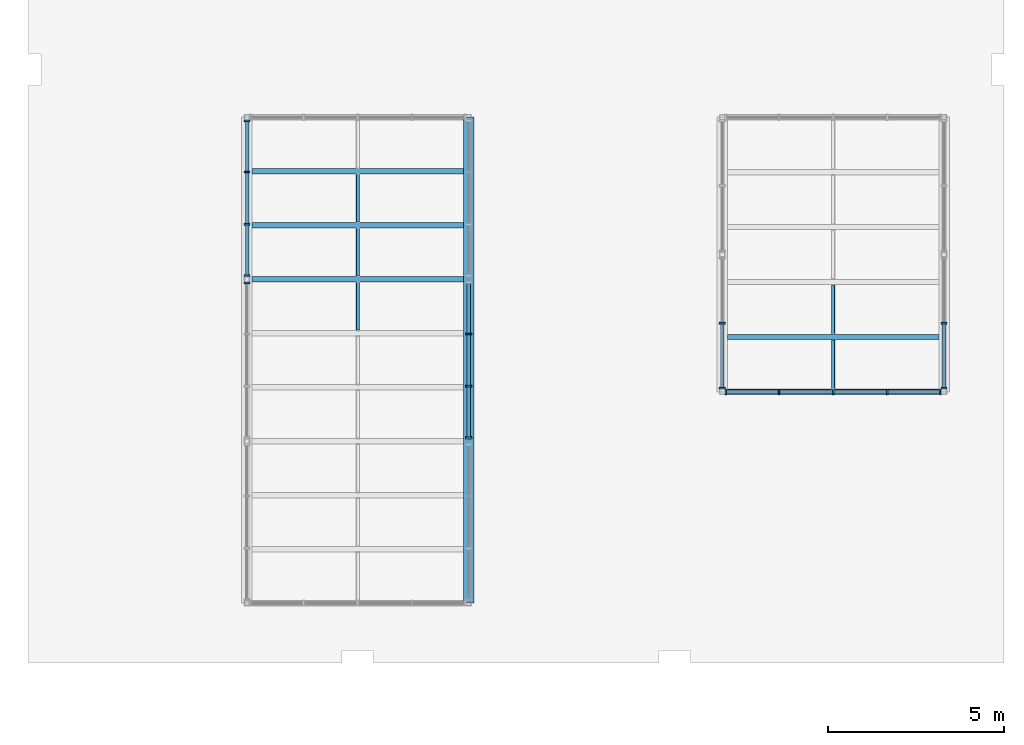
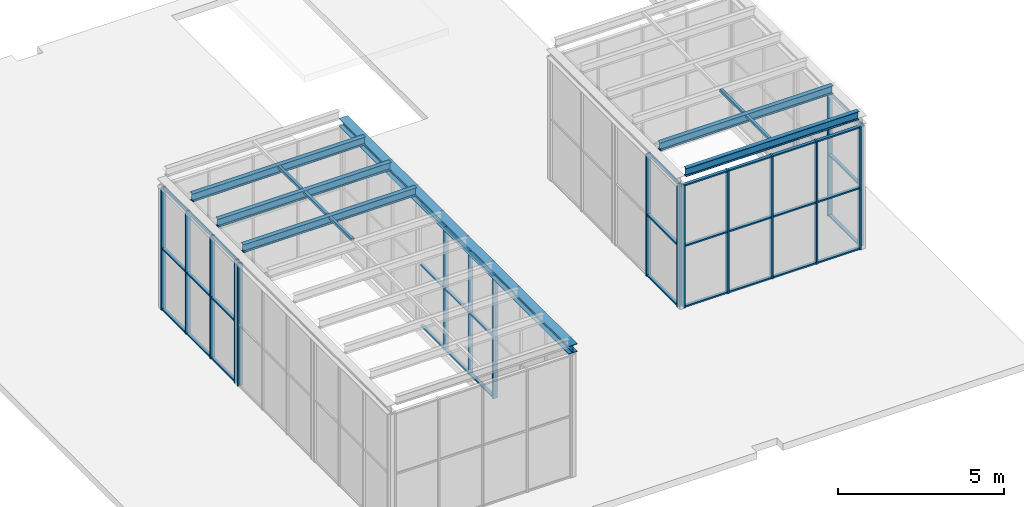
# One storey, part 7 of 25: 58 members, 6 beams, 6 elements without a shape of their own.
"""IFC4 building model written with IfcOpenShell, lengths in metres."""

from ifc_helpers import new_model, si_unit, direction, frame, origin, origin_2d, place, context, subcontext, project, spatial, rectangle, hollow_rectangle, i_section, extrude, material, layer, layer_set, material_profile, profile_set, type_object, element, aggregate, save


model = new_model("IFC4")

# Units and contexts
model_context = context("Model", 3, precision=1e-05, world=origin(), true_north=direction((0.0, 1.0)))
body_context = subcontext(model_context, "Body", "Model", "MODEL_VIEW")
ifc_project = project(units=[si_unit("LENGTHUNIT", "METRE"), si_unit("AREAUNIT", "SQUARE_METRE"), si_unit("VOLUMEUNIT", "CUBIC_METRE"), si_unit("PLANEANGLEUNIT", "RADIAN"), si_unit("MASSUNIT", "GRAM", prefix="KILO")], contexts=[model_context])

# Site, building, storey
site_placement = place(None, origin())
site = spatial("IfcSite", under=ifc_project, at=site_placement, CompositionType="ELEMENT")
building_placement = place(site_placement, origin())
building = spatial("IfcBuilding", under=site, at=building_placement, Name="Aurelan Courthouse", CompositionType="ELEMENT")
storey_placement = place(building_placement, frame((0.0, 0.0, 44.39990234375)))
storey = spatial("IfcBuildingStorey", under=building, at=storey_placement, Name="L08", CompositionType="ELEMENT", Elevation=44.39990234375)

# Beam
ifc_material_1 = material(Name="Steel S355", Category="steel")
ifc_material_profile_1 = material_profile(ifc_material_1, i_section(OverallWidth=0.300048828125, OverallDepth=0.2900390625, WebThickness=0.008544921875, FlangeThickness=0.013916015625, FilletRadius=0.027099609375, at=origin_2d()), Name="HEA 300")
ifc_profile_set_1 = profile_set([ifc_material_profile_1], Name="Steel S355")
beam_type_1 = type_object("IfcBeamType", Name="Lantern edge beam HEA 300", PredefinedType="BEAM", material=ifc_profile_set_1)
beam_placement = place(storey_placement, frame((48.14990234375, 38.85009765625, 4.64501953125), z_axis=(0.0, 1.0, 0.0), x_axis=(-1.0, 0.0, 0.0)))
element("IfcBeam", 1, at=beam_placement, inside=storey, type_object=beam_type_1, Name="Lantern edge beam LE-V21-02", PredefinedType="BEAM", context=body_context, shape_type="SweptSolid", body=[
    extrude(i_section(OverallWidth=0.300048828125, OverallDepth=0.2900390625, WebThickness=0.008544921875, FlangeThickness=0.013916015625, FilletRadius=0.027099609375, at=origin_2d()), origin(), (0.0, 0.0, 1.0), 13.7998046875),
])

# Curtain wall, member
ifc_material_2 = material(Name="Bronze-finished aluminium and glass", Category="aluminium")
ifc_layer_1 = layer(ifc_material_2, 0.14990234375)
ifc_layer_set_1 = layer_set([ifc_layer_1], Name="Bronze-finished aluminium and glass")
curtain_wall_type_1 = type_object("IfcCurtainWallType", Name="Lantern wall 4450 x 4500", PredefinedType="NOTDEFINED", material=ifc_layer_set_1)
curtain_wall_1_placement = place(storey_placement, origin())
curtain_wall_1 = element("IfcCurtainWall", 2, at=curtain_wall_1_placement, inside=storey, type_object=curtain_wall_type_1, Name="Curtain wall CW-L08-V2104", PredefinedType="NOTDEFINED")
ifc_material_3 = material(Name="Bronze-finished aluminium", Category="aluminium")
ifc_material_profile_2 = material_profile(ifc_material_3, rectangle(XDim=0.159912109375, YDim=0.050048828125, at=origin_2d()), Name="Lantern mullion 50 x 160")
ifc_profile_set_2 = profile_set([ifc_material_profile_2], Name="Bronze-finished aluminium")
member_type_1 = type_object("IfcMemberType", Name="Lantern mullion 50 x 160", PredefinedType="MULLION", material=ifc_profile_set_2)
member_1_placement = place(storey_placement, frame((41.85009765625, 47.949951171875, 0.0), z_axis=(0.0, 0.0, 1.0), x_axis=(-1.0, 0.0, 0.0)))
member_1 = element("IfcMember", 3, at=member_1_placement, type_object=member_type_1, Name="CW-L08-V2104 mullion 4", PredefinedType="MULLION", context=body_context, shape_type="SweptSolid", body=[
    extrude(rectangle(XDim=0.159912109375, YDim=0.050048828125, at=origin_2d()), origin(), (0.0, 0.0, 1.0), 4.5),
])
aggregate(curtain_wall_1, [member_1])

# Curtain wall, members
curtain_wall_2_placement = place(storey_placement, origin())
curtain_wall_2 = element("IfcCurtainWall", 4, at=curtain_wall_2_placement, inside=storey, type_object=curtain_wall_type_1, Name="Curtain wall CW-L08-V2105", PredefinedType="NOTDEFINED")
member_2_placement = place(storey_placement, frame((48.14990234375, 43.550048828125, 0.0), z_axis=(0.0, 0.0, 1.0), x_axis=(-1.0, 0.0, 0.0)))
member_2 = element("IfcMember", 5, at=member_2_placement, type_object=member_type_1, Name="CW-L08-V2105 mullion 1", PredefinedType="MULLION", context=body_context, shape_type="SweptSolid", body=[
    extrude(rectangle(XDim=0.159912109375, YDim=0.050048828125, at=origin_2d()), origin(), (0.0, 0.0, 1.0), 4.5),
])
member_3_placement = place(storey_placement, frame((48.14990234375, 45.00830078125, 0.0), z_axis=(0.0, 0.0, 1.0), x_axis=(-1.0, 0.0, 0.0)))
member_3 = element("IfcMember", 6, at=member_3_placement, type_object=member_type_1, Name="CW-L08-V2105 mullion 2", PredefinedType="MULLION", context=body_context, shape_type="SweptSolid", body=[
    extrude(rectangle(XDim=0.159912109375, YDim=0.050048828125, at=origin_2d()), origin(), (0.0, 0.0, 1.0), 4.5),
])
member_4_placement = place(storey_placement, frame((48.14990234375, 46.49169921875, 0.0), z_axis=(0.0, 0.0, 1.0), x_axis=(-1.0, 0.0, 0.0)))
member_4 = element("IfcMember", 7, at=member_4_placement, type_object=member_type_1, Name="CW-L08-V2105 mullion 3", PredefinedType="MULLION", context=body_context, shape_type="SweptSolid", body=[
    extrude(rectangle(XDim=0.159912109375, YDim=0.050048828125, at=origin_2d()), origin(), (0.0, 0.0, 1.0), 4.5),
])

curtain_wall_3_placement = place(storey_placement, origin())
curtain_wall_3 = element("IfcCurtainWall", 8, at=curtain_wall_3_placement, inside=storey, type_object=curtain_wall_type_1, Name="Curtain wall CW-L08-V2106", PredefinedType="NOTDEFINED")
member_5_placement = place(storey_placement, frame((41.85009765625, 48.14990234375, 0.0), z_axis=(0.0, 0.0, 1.0), x_axis=(-1.0, 0.0, 0.0)))
member_5 = element("IfcMember", 9, at=member_5_placement, type_object=member_type_1, Name="CW-L08-V2106 mullion 1", PredefinedType="MULLION", context=body_context, shape_type="SweptSolid", body=[
    extrude(rectangle(XDim=0.159912109375, YDim=0.050048828125, at=origin_2d()), origin(), (0.0, 0.0, 1.0), 4.5),
])
member_6_placement = place(storey_placement, frame((41.85009765625, 49.6083984375, 0.0), z_axis=(0.0, 0.0, 1.0), x_axis=(-1.0, 0.0, 0.0)))
member_6 = element("IfcMember", 10, at=member_6_placement, type_object=member_type_1, Name="CW-L08-V2106 mullion 2", PredefinedType="MULLION", context=body_context, shape_type="SweptSolid", body=[
    extrude(rectangle(XDim=0.159912109375, YDim=0.050048828125, at=origin_2d()), origin(), (0.0, 0.0, 1.0), 4.5),
])
member_7_placement = place(storey_placement, frame((41.85009765625, 51.091552734375, 0.0), z_axis=(0.0, 0.0, 1.0), x_axis=(-1.0, 0.0, 0.0)))
member_7 = element("IfcMember", 11, at=member_7_placement, type_object=member_type_1, Name="CW-L08-V2106 mullion 3", PredefinedType="MULLION", context=body_context, shape_type="SweptSolid", body=[
    extrude(rectangle(XDim=0.159912109375, YDim=0.050048828125, at=origin_2d()), origin(), (0.0, 0.0, 1.0), 4.5),
])
member_8_placement = place(storey_placement, frame((41.85009765625, 52.550048828125, 0.0), z_axis=(0.0, 0.0, 1.0), x_axis=(-1.0, 0.0, 0.0)))
member_8 = element("IfcMember", 12, at=member_8_placement, type_object=member_type_1, Name="CW-L08-V2106 mullion 4", PredefinedType="MULLION", context=body_context, shape_type="SweptSolid", body=[
    extrude(rectangle(XDim=0.159912109375, YDim=0.050048828125, at=origin_2d()), origin(), (0.0, 0.0, 1.0), 4.5),
])

ifc_layer_2 = layer(ifc_material_2, 0.14990234375)
ifc_layer_set_2 = layer_set([ifc_layer_2], Name="Bronze-finished aluminium and glass")
curtain_wall_type_2 = type_object("IfcCurtainWallType", Name="Lantern wall 6150 x 4500", PredefinedType="NOTDEFINED", material=ifc_layer_set_2)
curtain_wall_4_placement = place(storey_placement, origin())
curtain_wall_4 = element("IfcCurtainWall", 13, at=curtain_wall_4_placement, inside=storey, type_object=curtain_wall_type_2, Name="Curtain wall CW-L08-V2201", PredefinedType="NOTDEFINED")
member_9_placement = place(storey_placement, frame((55.449951171875, 44.85009765625, 0.0), z_axis=(0.0, 0.0, 1.0), x_axis=(0.0, 1.0, 0.0)))
member_9 = element("IfcMember", 14, at=member_9_placement, type_object=member_type_1, Name="CW-L08-V2201 mullion 1", PredefinedType="MULLION", context=body_context, shape_type="SweptSolid", body=[
    extrude(rectangle(XDim=0.159912109375, YDim=0.050048828125, at=origin_2d()), origin(), (0.0, 0.0, 1.0), 4.5),
])
member_10_placement = place(storey_placement, frame((56.96240234375, 44.85009765625, 0.0), z_axis=(0.0, 0.0, 1.0), x_axis=(0.0, 1.0, 0.0)))
member_10 = element("IfcMember", 15, at=member_10_placement, type_object=member_type_1, Name="CW-L08-V2201 mullion 2", PredefinedType="MULLION", context=body_context, shape_type="SweptSolid", body=[
    extrude(rectangle(XDim=0.159912109375, YDim=0.050048828125, at=origin_2d()), origin(), (0.0, 0.0, 1.0), 4.5),
])
member_11_placement = place(storey_placement, frame((58.5, 44.85009765625, 0.0), z_axis=(0.0, 0.0, 1.0), x_axis=(0.0, 1.0, 0.0)))
member_11 = element("IfcMember", 16, at=member_11_placement, type_object=member_type_1, Name="CW-L08-V2201 mullion 3", PredefinedType="MULLION", context=body_context, shape_type="SweptSolid", body=[
    extrude(rectangle(XDim=0.159912109375, YDim=0.050048828125, at=origin_2d()), origin(), (0.0, 0.0, 1.0), 4.5),
])
member_12_placement = place(storey_placement, frame((60.03759765625, 44.85009765625, 0.0), z_axis=(0.0, 0.0, 1.0), x_axis=(0.0, 1.0, 0.0)))
member_12 = element("IfcMember", 17, at=member_12_placement, type_object=member_type_1, Name="CW-L08-V2201 mullion 4", PredefinedType="MULLION", context=body_context, shape_type="SweptSolid", body=[
    extrude(rectangle(XDim=0.159912109375, YDim=0.050048828125, at=origin_2d()), origin(), (0.0, 0.0, 1.0), 4.5),
])
member_13_placement = place(storey_placement, frame((61.550048828125, 44.85009765625, 0.0), z_axis=(0.0, 0.0, 1.0), x_axis=(0.0, 1.0, 0.0)))
member_13 = element("IfcMember", 18, at=member_13_placement, type_object=member_type_1, Name="CW-L08-V2201 mullion 5", PredefinedType="MULLION", context=body_context, shape_type="SweptSolid", body=[
    extrude(rectangle(XDim=0.159912109375, YDim=0.050048828125, at=origin_2d()), origin(), (0.0, 0.0, 1.0), 4.5),
])

ifc_layer_3 = layer(ifc_material_2, 0.14990234375)
ifc_layer_set_3 = layer_set([ifc_layer_3], Name="Bronze-finished aluminium and glass")
curtain_wall_type_3 = type_object("IfcCurtainWallType", Name="Lantern wall 3750 x 4500", PredefinedType="NOTDEFINED", material=ifc_layer_set_3)
curtain_wall_5_placement = place(storey_placement, origin())
curtain_wall_5 = element("IfcCurtainWall", 19, at=curtain_wall_5_placement, inside=storey, type_object=curtain_wall_type_3, Name="Curtain wall CW-L08-V2202", PredefinedType="NOTDEFINED")
member_14_placement = place(storey_placement, frame((55.35009765625, 44.949951171875, 0.0), z_axis=(0.0, 0.0, 1.0), x_axis=(-1.0, 0.0, 0.0)))
member_14 = element("IfcMember", 20, at=member_14_placement, type_object=member_type_1, Name="CW-L08-V2202 mullion 1", PredefinedType="MULLION", context=body_context, shape_type="SweptSolid", body=[
    extrude(rectangle(XDim=0.159912109375, YDim=0.050048828125, at=origin_2d()), origin(), (0.0, 0.0, 1.0), 4.5),
])
member_15_placement = place(storey_placement, frame((55.35009765625, 46.800048828125, 0.0), z_axis=(0.0, 0.0, 1.0), x_axis=(-1.0, 0.0, 0.0)))
member_15 = element("IfcMember", 21, at=member_15_placement, type_object=member_type_1, Name="CW-L08-V2202 mullion 2", PredefinedType="MULLION", context=body_context, shape_type="SweptSolid", body=[
    extrude(rectangle(XDim=0.159912109375, YDim=0.050048828125, at=origin_2d()), origin(), (0.0, 0.0, 1.0), 4.5),
])

curtain_wall_6_placement = place(storey_placement, origin())
curtain_wall_6 = element("IfcCurtainWall", 22, at=curtain_wall_6_placement, inside=storey, type_object=curtain_wall_type_3, Name="Curtain wall CW-L08-V2203", PredefinedType="NOTDEFINED")
member_16_placement = place(storey_placement, frame((61.64990234375, 44.949951171875, 0.0), z_axis=(0.0, 0.0, 1.0), x_axis=(-1.0, 0.0, 0.0)))
member_16 = element("IfcMember", 23, at=member_16_placement, type_object=member_type_1, Name="CW-L08-V2203 mullion 1", PredefinedType="MULLION", context=body_context, shape_type="SweptSolid", body=[
    extrude(rectangle(XDim=0.159912109375, YDim=0.050048828125, at=origin_2d()), origin(), (0.0, 0.0, 1.0), 4.5),
])
member_17_placement = place(storey_placement, frame((61.64990234375, 46.800048828125, 0.0), z_axis=(0.0, 0.0, 1.0), x_axis=(-1.0, 0.0, 0.0)))
member_17 = element("IfcMember", 24, at=member_17_placement, type_object=member_type_1, Name="CW-L08-V2203 mullion 2", PredefinedType="MULLION", context=body_context, shape_type="SweptSolid", body=[
    extrude(rectangle(XDim=0.159912109375, YDim=0.050048828125, at=origin_2d()), origin(), (0.0, 0.0, 1.0), 4.5),
])

# Members
ifc_material_profile_3 = material_profile(ifc_material_1, hollow_rectangle(XDim=0.10009765625, YDim=0.10009765625, WallThickness=0.006103515625, InnerFilletRadius=0.006103515625, OuterFilletRadius=0.011962890625, at=origin_2d()), Name="SHS 100x100x6")
ifc_profile_set_3 = profile_set([ifc_material_profile_3], Name="Steel S355")
member_type_2 = type_object("IfcMemberType", Name="Lantern purlin SHS 100x100x6", PredefinedType="PURLIN", material=ifc_profile_set_3)
for number, where, z_axis, x_axis, name in (
    (25, (45.0, 46.601806640625, 5.0400390625), (0.0, 1.0, 0.0), (-1.0, 0.0, 0.0), "Lantern purlin LP-V21-0601"),
    (26, (45.0, 48.135009765625, 5.0400390625), (0.0, 1.0, 0.0), (-1.0, 0.0, 0.0), "Lantern purlin LP-V21-0701"),
):
    element("IfcMember", number, at=place(storey_placement, frame(where, z_axis=z_axis, x_axis=x_axis)), inside=storey, type_object=member_type_2, Name=name, PredefinedType="PURLIN", context=body_context, shape_type="SweptSolid", body=[
        extrude(hollow_rectangle(XDim=0.10009765625, YDim=0.10009765625, WallThickness=0.006103515625, InnerFilletRadius=0.006103515625, OuterFilletRadius=0.011962890625, at=origin_2d()), origin(), (0.0, 0.0, 1.0), 1.36328125),
    ])
member_18_placement = place(storey_placement, frame((45.0, 49.668212890625, 5.0400390625), z_axis=(0.0, 1.0, 0.0), x_axis=(-1.0, 0.0, 0.0)))
element("IfcMember", 27, at=member_18_placement, inside=storey, type_object=member_type_2, Name="Lantern purlin LP-V21-0801", PredefinedType="PURLIN", context=body_context, shape_type="SweptSolid", body=[
    extrude(hollow_rectangle(XDim=0.10009765625, YDim=0.10009765625, WallThickness=0.006103515625, InnerFilletRadius=0.006103515625, OuterFilletRadius=0.011962890625, at=origin_2d()), origin(), (0.0, 0.0, 1.0), 1.363525390625),
])
for number, where, z_axis, x_axis, name in (
    (28, (58.5, 44.93505859375, 5.0400390625), (0.0, 1.0, 0.0), (-1.0, 0.0, 0.0), "Lantern purlin LP-V22-0101"),
    (29, (58.5, 46.4951171875, 5.0400390625), (0.0, 1.0, 0.0), (-1.0, 0.0, 0.0), "Lantern purlin LP-V22-0201"),
):
    element("IfcMember", number, at=place(storey_placement, frame(where, z_axis=z_axis, x_axis=x_axis)), inside=storey, type_object=member_type_2, Name=name, PredefinedType="PURLIN", context=body_context, shape_type="SweptSolid", body=[
        extrude(hollow_rectangle(XDim=0.10009765625, YDim=0.10009765625, WallThickness=0.006103515625, InnerFilletRadius=0.006103515625, OuterFilletRadius=0.011962890625, at=origin_2d()), origin(), (0.0, 0.0, 1.0), 1.389892578125),
    ])

# Beams
ifc_material_profile_4 = material_profile(ifc_material_1, i_section(OverallWidth=0.14990234375, OverallDepth=0.300048828125, WebThickness=0.007080078125, FlangeThickness=0.0107421875, FilletRadius=0.014892578125, at=origin_2d()), Name="IPE 300")
ifc_profile_set_4 = profile_set([ifc_material_profile_4], Name="Steel S355")
beam_type_2 = type_object("IfcBeamType", Name="Lantern roof beam IPE 300", PredefinedType="BEAM", material=ifc_profile_set_4)
for number, where, z_axis, x_axis, name in (
    (30, (42.0, 48.050048828125, 4.940185546875), (1.0, 0.0, 0.0), (0.0, 1.0, 0.0), "Lantern roof beam LR-V21-07"),
    (31, (42.0, 49.583251953125, 4.940185546875), (1.0, 0.0, 0.0), (0.0, 1.0, 0.0), "Lantern roof beam LR-V21-08"),
    (32, (42.0, 51.11669921875, 4.940185546875), (1.0, 0.0, 0.0), (0.0, 1.0, 0.0), "Lantern roof beam LR-V21-09"),
    (33, (55.5, 44.85009765625, 4.940185546875), (1.0, 0.0, 0.0), (0.0, 1.0, 0.0), "Lantern roof beam LR-V22-01"),
    (34, (55.5, 46.409912109375, 4.940185546875), (1.0, 0.0, 0.0), (0.0, 1.0, 0.0), "Lantern roof beam LR-V22-02"),
):
    element("IfcBeam", number, at=place(storey_placement, frame(where, z_axis=z_axis, x_axis=x_axis)), inside=storey, type_object=beam_type_2, Name=name, PredefinedType="BEAM", context=body_context, shape_type="SweptSolid", body=[
        extrude(i_section(OverallWidth=0.14990234375, OverallDepth=0.300048828125, WebThickness=0.007080078125, FlangeThickness=0.0107421875, FilletRadius=0.014892578125, at=origin_2d()), origin(), (0.0, 0.0, 1.0), 6.0),
    ])

# Member
ifc_material_profile_5 = material_profile(ifc_material_3, rectangle(XDim=0.110107421875, YDim=0.050048828125, at=origin_2d()), Name="Lantern transom 50 x 110")
ifc_profile_set_5 = profile_set([ifc_material_profile_5], Name="Bronze-finished aluminium")
member_type_3 = type_object("IfcMemberType", Name="Lantern transom 50 x 110", PredefinedType="USERDEFINED", material=ifc_profile_set_5)
member_19_placement = place(storey_placement, frame((48.14990234375, 43.574951171875, 0.025146484375), z_axis=(0.0, 1.0, 0.0), x_axis=(-1.0, 0.0, 0.0)))
member_19 = element("IfcMember", 35, at=member_19_placement, type_object=member_type_3, Name="CW-L08-V2105 transom 1.1", ObjectType="TRANSOM", PredefinedType="USERDEFINED", context=body_context, shape_type="SweptSolid", body=[
    extrude(rectangle(XDim=0.110107421875, YDim=0.050048828125, at=origin_2d()), origin(), (0.0, 0.0, 1.0), 1.408447265625),
])

member_20_placement = place(storey_placement, frame((48.14990234375, 43.574951171875, 2.25), z_axis=(0.0, 1.0, 0.0), x_axis=(-1.0, 0.0, 0.0)))
member_20 = element("IfcMember", 36, at=member_20_placement, type_object=member_type_3, Name="CW-L08-V2105 transom 1.2", ObjectType="TRANSOM", PredefinedType="USERDEFINED", context=body_context, shape_type="SweptSolid", body=[
    extrude(rectangle(XDim=0.110107421875, YDim=0.050048828125, at=origin_2d()), origin(), (0.0, 0.0, 1.0), 1.408447265625),
])

member_21_placement = place(storey_placement, frame((48.14990234375, 43.574951171875, 4.47509765625), z_axis=(0.0, 1.0, 0.0), x_axis=(-1.0, 0.0, 0.0)))
member_21 = element("IfcMember", 37, at=member_21_placement, type_object=member_type_3, Name="CW-L08-V2105 transom 1.3", ObjectType="TRANSOM", PredefinedType="USERDEFINED", context=body_context, shape_type="SweptSolid", body=[
    extrude(rectangle(XDim=0.110107421875, YDim=0.050048828125, at=origin_2d()), origin(), (0.0, 0.0, 1.0), 1.408447265625),
])

member_22_placement = place(storey_placement, frame((48.14990234375, 45.033447265625, 0.025146484375), z_axis=(0.0, 1.0, 0.0), x_axis=(-1.0, 0.0, 0.0)))
member_22 = element("IfcMember", 38, at=member_22_placement, type_object=member_type_3, Name="CW-L08-V2105 transom 2.1", ObjectType="TRANSOM", PredefinedType="USERDEFINED", context=body_context, shape_type="SweptSolid", body=[
    extrude(rectangle(XDim=0.110107421875, YDim=0.050048828125, at=origin_2d()), origin(), (0.0, 0.0, 1.0), 1.43310546875),
])

member_23_placement = place(storey_placement, frame((48.14990234375, 45.033447265625, 2.25), z_axis=(0.0, 1.0, 0.0), x_axis=(-1.0, 0.0, 0.0)))
member_23 = element("IfcMember", 39, at=member_23_placement, type_object=member_type_3, Name="CW-L08-V2105 transom 2.2", ObjectType="TRANSOM", PredefinedType="USERDEFINED", context=body_context, shape_type="SweptSolid", body=[
    extrude(rectangle(XDim=0.110107421875, YDim=0.050048828125, at=origin_2d()), origin(), (0.0, 0.0, 1.0), 1.43310546875),
])

member_24_placement = place(storey_placement, frame((48.14990234375, 45.033447265625, 4.47509765625), z_axis=(0.0, 1.0, 0.0), x_axis=(-1.0, 0.0, 0.0)))
member_24 = element("IfcMember", 40, at=member_24_placement, type_object=member_type_3, Name="CW-L08-V2105 transom 2.3", ObjectType="TRANSOM", PredefinedType="USERDEFINED", context=body_context, shape_type="SweptSolid", body=[
    extrude(rectangle(XDim=0.110107421875, YDim=0.050048828125, at=origin_2d()), origin(), (0.0, 0.0, 1.0), 1.43310546875),
])

member_25_placement = place(storey_placement, frame((48.14990234375, 46.5166015625, 0.025146484375), z_axis=(0.0, 1.0, 0.0), x_axis=(-1.0, 0.0, 0.0)))
member_25 = element("IfcMember", 41, at=member_25_placement, type_object=member_type_3, Name="CW-L08-V2105 transom 3.1", ObjectType="TRANSOM", PredefinedType="USERDEFINED", context=body_context, shape_type="SweptSolid", body=[
    extrude(rectangle(XDim=0.110107421875, YDim=0.050048828125, at=origin_2d()), origin(), (0.0, 0.0, 1.0), 1.408447265625),
])

member_26_placement = place(storey_placement, frame((48.14990234375, 46.5166015625, 2.25), z_axis=(0.0, 1.0, 0.0), x_axis=(-1.0, 0.0, 0.0)))
member_26 = element("IfcMember", 42, at=member_26_placement, type_object=member_type_3, Name="CW-L08-V2105 transom 3.2", ObjectType="TRANSOM", PredefinedType="USERDEFINED", context=body_context, shape_type="SweptSolid", body=[
    extrude(rectangle(XDim=0.110107421875, YDim=0.050048828125, at=origin_2d()), origin(), (0.0, 0.0, 1.0), 1.408447265625),
])

member_27_placement = place(storey_placement, frame((48.14990234375, 46.5166015625, 4.47509765625), z_axis=(0.0, 1.0, 0.0), x_axis=(-1.0, 0.0, 0.0)))
member_27 = element("IfcMember", 43, at=member_27_placement, type_object=member_type_3, Name="CW-L08-V2105 transom 3.3", ObjectType="TRANSOM", PredefinedType="USERDEFINED", context=body_context, shape_type="SweptSolid", body=[
    extrude(rectangle(XDim=0.110107421875, YDim=0.050048828125, at=origin_2d()), origin(), (0.0, 0.0, 1.0), 1.408447265625),
])

aggregate(curtain_wall_2, [member_2, member_3, member_4, member_19, member_20, member_21, member_22, member_23, member_24, member_25, member_26, member_27])

member_28_placement = place(storey_placement, frame((41.85009765625, 48.175048828125, 0.025146484375), z_axis=(0.0, 1.0, 0.0), x_axis=(-1.0, 0.0, 0.0)))
member_28 = element("IfcMember", 44, at=member_28_placement, type_object=member_type_3, Name="CW-L08-V2106 transom 1.1", ObjectType="TRANSOM", PredefinedType="USERDEFINED", context=body_context, shape_type="SweptSolid", body=[
    extrude(rectangle(XDim=0.110107421875, YDim=0.050048828125, at=origin_2d()), origin(), (0.0, 0.0, 1.0), 1.408203125),
])

member_29_placement = place(storey_placement, frame((41.85009765625, 48.175048828125, 2.25), z_axis=(0.0, 1.0, 0.0), x_axis=(-1.0, 0.0, 0.0)))
member_29 = element("IfcMember", 45, at=member_29_placement, type_object=member_type_3, Name="CW-L08-V2106 transom 1.2", ObjectType="TRANSOM", PredefinedType="USERDEFINED", context=body_context, shape_type="SweptSolid", body=[
    extrude(rectangle(XDim=0.110107421875, YDim=0.050048828125, at=origin_2d()), origin(), (0.0, 0.0, 1.0), 1.408203125),
])

member_30_placement = place(storey_placement, frame((41.85009765625, 48.175048828125, 4.47509765625), z_axis=(0.0, 1.0, 0.0), x_axis=(-1.0, 0.0, 0.0)))
member_30 = element("IfcMember", 46, at=member_30_placement, type_object=member_type_3, Name="CW-L08-V2106 transom 1.3", ObjectType="TRANSOM", PredefinedType="USERDEFINED", context=body_context, shape_type="SweptSolid", body=[
    extrude(rectangle(XDim=0.110107421875, YDim=0.050048828125, at=origin_2d()), origin(), (0.0, 0.0, 1.0), 1.408203125),
])

member_31_placement = place(storey_placement, frame((41.85009765625, 49.63330078125, 0.025146484375), z_axis=(0.0, 1.0, 0.0), x_axis=(-1.0, 0.0, 0.0)))
member_31 = element("IfcMember", 47, at=member_31_placement, type_object=member_type_3, Name="CW-L08-V2106 transom 2.1", ObjectType="TRANSOM", PredefinedType="USERDEFINED", context=body_context, shape_type="SweptSolid", body=[
    extrude(rectangle(XDim=0.110107421875, YDim=0.050048828125, at=origin_2d()), origin(), (0.0, 0.0, 1.0), 1.433349609375),
])

member_32_placement = place(storey_placement, frame((41.85009765625, 49.63330078125, 2.25), z_axis=(0.0, 1.0, 0.0), x_axis=(-1.0, 0.0, 0.0)))
member_32 = element("IfcMember", 48, at=member_32_placement, type_object=member_type_3, Name="CW-L08-V2106 transom 2.2", ObjectType="TRANSOM", PredefinedType="USERDEFINED", context=body_context, shape_type="SweptSolid", body=[
    extrude(rectangle(XDim=0.110107421875, YDim=0.050048828125, at=origin_2d()), origin(), (0.0, 0.0, 1.0), 1.433349609375),
])

member_33_placement = place(storey_placement, frame((41.85009765625, 49.63330078125, 4.47509765625), z_axis=(0.0, 1.0, 0.0), x_axis=(-1.0, 0.0, 0.0)))
member_33 = element("IfcMember", 49, at=member_33_placement, type_object=member_type_3, Name="CW-L08-V2106 transom 2.3", ObjectType="TRANSOM", PredefinedType="USERDEFINED", context=body_context, shape_type="SweptSolid", body=[
    extrude(rectangle(XDim=0.110107421875, YDim=0.050048828125, at=origin_2d()), origin(), (0.0, 0.0, 1.0), 1.433349609375),
])

member_34_placement = place(storey_placement, frame((41.85009765625, 51.11669921875, 0.025146484375), z_axis=(0.0, 1.0, 0.0), x_axis=(-1.0, 0.0, 0.0)))
member_34 = element("IfcMember", 50, at=member_34_placement, type_object=member_type_3, Name="CW-L08-V2106 transom 3.1", ObjectType="TRANSOM", PredefinedType="USERDEFINED", context=body_context, shape_type="SweptSolid", body=[
    extrude(rectangle(XDim=0.110107421875, YDim=0.050048828125, at=origin_2d()), origin(), (0.0, 0.0, 1.0), 1.408203125),
])

member_35_placement = place(storey_placement, frame((41.85009765625, 51.11669921875, 2.25), z_axis=(0.0, 1.0, 0.0), x_axis=(-1.0, 0.0, 0.0)))
member_35 = element("IfcMember", 51, at=member_35_placement, type_object=member_type_3, Name="CW-L08-V2106 transom 3.2", ObjectType="TRANSOM", PredefinedType="USERDEFINED", context=body_context, shape_type="SweptSolid", body=[
    extrude(rectangle(XDim=0.110107421875, YDim=0.050048828125, at=origin_2d()), origin(), (0.0, 0.0, 1.0), 1.408203125),
])

member_36_placement = place(storey_placement, frame((41.85009765625, 51.11669921875, 4.47509765625), z_axis=(0.0, 1.0, 0.0), x_axis=(-1.0, 0.0, 0.0)))
member_36 = element("IfcMember", 52, at=member_36_placement, type_object=member_type_3, Name="CW-L08-V2106 transom 3.3", ObjectType="TRANSOM", PredefinedType="USERDEFINED", context=body_context, shape_type="SweptSolid", body=[
    extrude(rectangle(XDim=0.110107421875, YDim=0.050048828125, at=origin_2d()), origin(), (0.0, 0.0, 1.0), 1.408203125),
])

aggregate(curtain_wall_3, [member_5, member_6, member_7, member_8, member_28, member_29, member_30, member_31, member_32, member_33, member_34, member_35, member_36])

member_37_placement = place(storey_placement, frame((55.47509765625, 44.85009765625, 0.025146484375), z_axis=(1.0, 0.0, 0.0), x_axis=(0.0, 1.0, 0.0)))
member_37 = element("IfcMember", 53, at=member_37_placement, type_object=member_type_3, Name="CW-L08-V2201 transom 1.1", ObjectType="TRANSOM", PredefinedType="USERDEFINED", context=body_context, shape_type="SweptSolid", body=[
    extrude(rectangle(XDim=0.110107421875, YDim=0.050048828125, at=origin_2d()), origin(), (0.0, 0.0, 1.0), 1.46240234375),
])

member_38_placement = place(storey_placement, frame((55.47509765625, 44.85009765625, 2.25), z_axis=(1.0, 0.0, 0.0), x_axis=(0.0, 1.0, 0.0)))
member_38 = element("IfcMember", 54, at=member_38_placement, type_object=member_type_3, Name="CW-L08-V2201 transom 1.2", ObjectType="TRANSOM", PredefinedType="USERDEFINED", context=body_context, shape_type="SweptSolid", body=[
    extrude(rectangle(XDim=0.110107421875, YDim=0.050048828125, at=origin_2d()), origin(), (0.0, 0.0, 1.0), 1.46240234375),
])

member_39_placement = place(storey_placement, frame((55.47509765625, 44.85009765625, 4.47509765625), z_axis=(1.0, 0.0, 0.0), x_axis=(0.0, 1.0, 0.0)))
member_39 = element("IfcMember", 55, at=member_39_placement, type_object=member_type_3, Name="CW-L08-V2201 transom 1.3", ObjectType="TRANSOM", PredefinedType="USERDEFINED", context=body_context, shape_type="SweptSolid", body=[
    extrude(rectangle(XDim=0.110107421875, YDim=0.050048828125, at=origin_2d()), origin(), (0.0, 0.0, 1.0), 1.46240234375),
])

member_40_placement = place(storey_placement, frame((56.987548828125, 44.85009765625, 0.025146484375), z_axis=(1.0, 0.0, 0.0), x_axis=(0.0, 1.0, 0.0)))
member_40 = element("IfcMember", 56, at=member_40_placement, type_object=member_type_3, Name="CW-L08-V2201 transom 2.1", ObjectType="TRANSOM", PredefinedType="USERDEFINED", context=body_context, shape_type="SweptSolid", body=[
    extrude(rectangle(XDim=0.110107421875, YDim=0.050048828125, at=origin_2d()), origin(), (0.0, 0.0, 1.0), 1.487548828125),
])

member_41_placement = place(storey_placement, frame((56.987548828125, 44.85009765625, 2.25), z_axis=(1.0, 0.0, 0.0), x_axis=(0.0, 1.0, 0.0)))
member_41 = element("IfcMember", 57, at=member_41_placement, type_object=member_type_3, Name="CW-L08-V2201 transom 2.2", ObjectType="TRANSOM", PredefinedType="USERDEFINED", context=body_context, shape_type="SweptSolid", body=[
    extrude(rectangle(XDim=0.110107421875, YDim=0.050048828125, at=origin_2d()), origin(), (0.0, 0.0, 1.0), 1.487548828125),
])

member_42_placement = place(storey_placement, frame((56.987548828125, 44.85009765625, 4.47509765625), z_axis=(1.0, 0.0, 0.0), x_axis=(0.0, 1.0, 0.0)))
member_42 = element("IfcMember", 58, at=member_42_placement, type_object=member_type_3, Name="CW-L08-V2201 transom 2.3", ObjectType="TRANSOM", PredefinedType="USERDEFINED", context=body_context, shape_type="SweptSolid", body=[
    extrude(rectangle(XDim=0.110107421875, YDim=0.050048828125, at=origin_2d()), origin(), (0.0, 0.0, 1.0), 1.487548828125),
])

member_43_placement = place(storey_placement, frame((58.52490234375, 44.85009765625, 0.025146484375), z_axis=(1.0, 0.0, 0.0), x_axis=(0.0, 1.0, 0.0)))
member_43 = element("IfcMember", 59, at=member_43_placement, type_object=member_type_3, Name="CW-L08-V2201 transom 3.1", ObjectType="TRANSOM", PredefinedType="USERDEFINED", context=body_context, shape_type="SweptSolid", body=[
    extrude(rectangle(XDim=0.110107421875, YDim=0.050048828125, at=origin_2d()), origin(), (0.0, 0.0, 1.0), 1.487548828125),
])

member_44_placement = place(storey_placement, frame((58.52490234375, 44.85009765625, 2.25), z_axis=(1.0, 0.0, 0.0), x_axis=(0.0, 1.0, 0.0)))
member_44 = element("IfcMember", 60, at=member_44_placement, type_object=member_type_3, Name="CW-L08-V2201 transom 3.2", ObjectType="TRANSOM", PredefinedType="USERDEFINED", context=body_context, shape_type="SweptSolid", body=[
    extrude(rectangle(XDim=0.110107421875, YDim=0.050048828125, at=origin_2d()), origin(), (0.0, 0.0, 1.0), 1.487548828125),
])

member_45_placement = place(storey_placement, frame((58.52490234375, 44.85009765625, 4.47509765625), z_axis=(1.0, 0.0, 0.0), x_axis=(0.0, 1.0, 0.0)))
member_45 = element("IfcMember", 61, at=member_45_placement, type_object=member_type_3, Name="CW-L08-V2201 transom 3.3", ObjectType="TRANSOM", PredefinedType="USERDEFINED", context=body_context, shape_type="SweptSolid", body=[
    extrude(rectangle(XDim=0.110107421875, YDim=0.050048828125, at=origin_2d()), origin(), (0.0, 0.0, 1.0), 1.487548828125),
])

member_46_placement = place(storey_placement, frame((60.0625, 44.85009765625, 0.025146484375), z_axis=(1.0, 0.0, 0.0), x_axis=(0.0, 1.0, 0.0)))
member_46 = element("IfcMember", 62, at=member_46_placement, type_object=member_type_3, Name="CW-L08-V2201 transom 4.1", ObjectType="TRANSOM", PredefinedType="USERDEFINED", context=body_context, shape_type="SweptSolid", body=[
    extrude(rectangle(XDim=0.110107421875, YDim=0.050048828125, at=origin_2d()), origin(), (0.0, 0.0, 1.0), 1.46240234375),
])

member_47_placement = place(storey_placement, frame((60.0625, 44.85009765625, 2.25), z_axis=(1.0, 0.0, 0.0), x_axis=(0.0, 1.0, 0.0)))
member_47 = element("IfcMember", 63, at=member_47_placement, type_object=member_type_3, Name="CW-L08-V2201 transom 4.2", ObjectType="TRANSOM", PredefinedType="USERDEFINED", context=body_context, shape_type="SweptSolid", body=[
    extrude(rectangle(XDim=0.110107421875, YDim=0.050048828125, at=origin_2d()), origin(), (0.0, 0.0, 1.0), 1.46240234375),
])

member_48_placement = place(storey_placement, frame((60.0625, 44.85009765625, 4.47509765625), z_axis=(1.0, 0.0, 0.0), x_axis=(0.0, 1.0, 0.0)))
member_48 = element("IfcMember", 64, at=member_48_placement, type_object=member_type_3, Name="CW-L08-V2201 transom 4.3", ObjectType="TRANSOM", PredefinedType="USERDEFINED", context=body_context, shape_type="SweptSolid", body=[
    extrude(rectangle(XDim=0.110107421875, YDim=0.050048828125, at=origin_2d()), origin(), (0.0, 0.0, 1.0), 1.46240234375),
])

aggregate(curtain_wall_4, [member_9, member_10, member_11, member_12, member_13, member_37, member_38, member_39, member_40, member_41, member_42, member_43, member_44, member_45, member_46, member_47, member_48])

member_49_placement = place(storey_placement, frame((55.35009765625, 44.97509765625, 0.025146484375), z_axis=(0.0, 1.0, 0.0), x_axis=(-1.0, 0.0, 0.0)))
member_49 = element("IfcMember", 65, at=member_49_placement, type_object=member_type_3, Name="CW-L08-V2202 transom 1.1", ObjectType="TRANSOM", PredefinedType="USERDEFINED", context=body_context, shape_type="SweptSolid", body=[
    extrude(rectangle(XDim=0.110107421875, YDim=0.050048828125, at=origin_2d()), origin(), (0.0, 0.0, 1.0), 1.7998046875),
])

member_50_placement = place(storey_placement, frame((55.35009765625, 44.97509765625, 2.25), z_axis=(0.0, 1.0, 0.0), x_axis=(-1.0, 0.0, 0.0)))
member_50 = element("IfcMember", 66, at=member_50_placement, type_object=member_type_3, Name="CW-L08-V2202 transom 1.2", ObjectType="TRANSOM", PredefinedType="USERDEFINED", context=body_context, shape_type="SweptSolid", body=[
    extrude(rectangle(XDim=0.110107421875, YDim=0.050048828125, at=origin_2d()), origin(), (0.0, 0.0, 1.0), 1.7998046875),
])

member_51_placement = place(storey_placement, frame((55.35009765625, 44.97509765625, 4.47509765625), z_axis=(0.0, 1.0, 0.0), x_axis=(-1.0, 0.0, 0.0)))
member_51 = element("IfcMember", 67, at=member_51_placement, type_object=member_type_3, Name="CW-L08-V2202 transom 1.3", ObjectType="TRANSOM", PredefinedType="USERDEFINED", context=body_context, shape_type="SweptSolid", body=[
    extrude(rectangle(XDim=0.110107421875, YDim=0.050048828125, at=origin_2d()), origin(), (0.0, 0.0, 1.0), 1.7998046875),
])

aggregate(curtain_wall_5, [member_14, member_15, member_49, member_50, member_51])

member_52_placement = place(storey_placement, frame((61.64990234375, 44.97509765625, 0.025146484375), z_axis=(0.0, 1.0, 0.0), x_axis=(-1.0, 0.0, 0.0)))
member_52 = element("IfcMember", 68, at=member_52_placement, type_object=member_type_3, Name="CW-L08-V2203 transom 1.1", ObjectType="TRANSOM", PredefinedType="USERDEFINED", context=body_context, shape_type="SweptSolid", body=[
    extrude(rectangle(XDim=0.110107421875, YDim=0.050048828125, at=origin_2d()), origin(), (0.0, 0.0, 1.0), 1.7998046875),
])

member_53_placement = place(storey_placement, frame((61.64990234375, 44.97509765625, 2.25), z_axis=(0.0, 1.0, 0.0), x_axis=(-1.0, 0.0, 0.0)))
member_53 = element("IfcMember", 69, at=member_53_placement, type_object=member_type_3, Name="CW-L08-V2203 transom 1.2", ObjectType="TRANSOM", PredefinedType="USERDEFINED", context=body_context, shape_type="SweptSolid", body=[
    extrude(rectangle(XDim=0.110107421875, YDim=0.050048828125, at=origin_2d()), origin(), (0.0, 0.0, 1.0), 1.7998046875),
])

member_54_placement = place(storey_placement, frame((61.64990234375, 44.97509765625, 4.47509765625), z_axis=(0.0, 1.0, 0.0), x_axis=(-1.0, 0.0, 0.0)))
member_54 = element("IfcMember", 70, at=member_54_placement, type_object=member_type_3, Name="CW-L08-V2203 transom 1.3", ObjectType="TRANSOM", PredefinedType="USERDEFINED", context=body_context, shape_type="SweptSolid", body=[
    extrude(rectangle(XDim=0.110107421875, YDim=0.050048828125, at=origin_2d()), origin(), (0.0, 0.0, 1.0), 1.7998046875),
])

aggregate(curtain_wall_6, [member_16, member_17, member_52, member_53, member_54])

save(model, "model.ifc")
